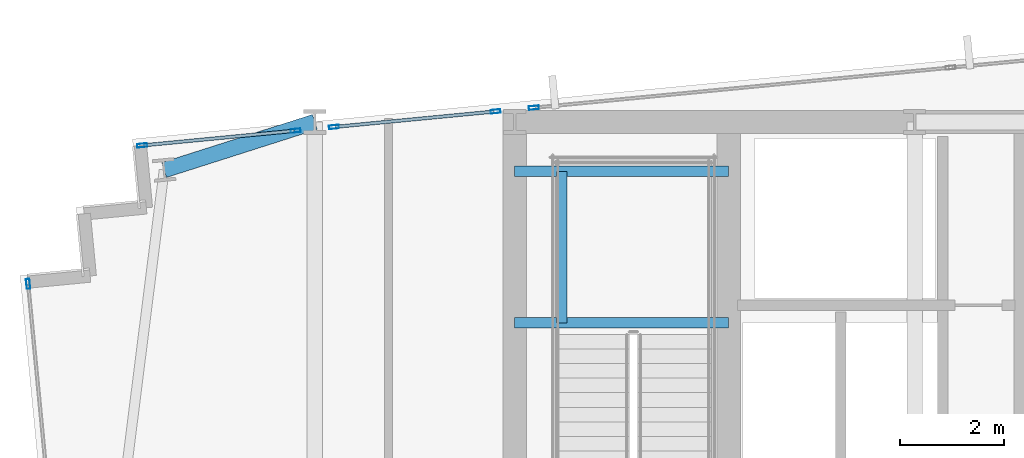
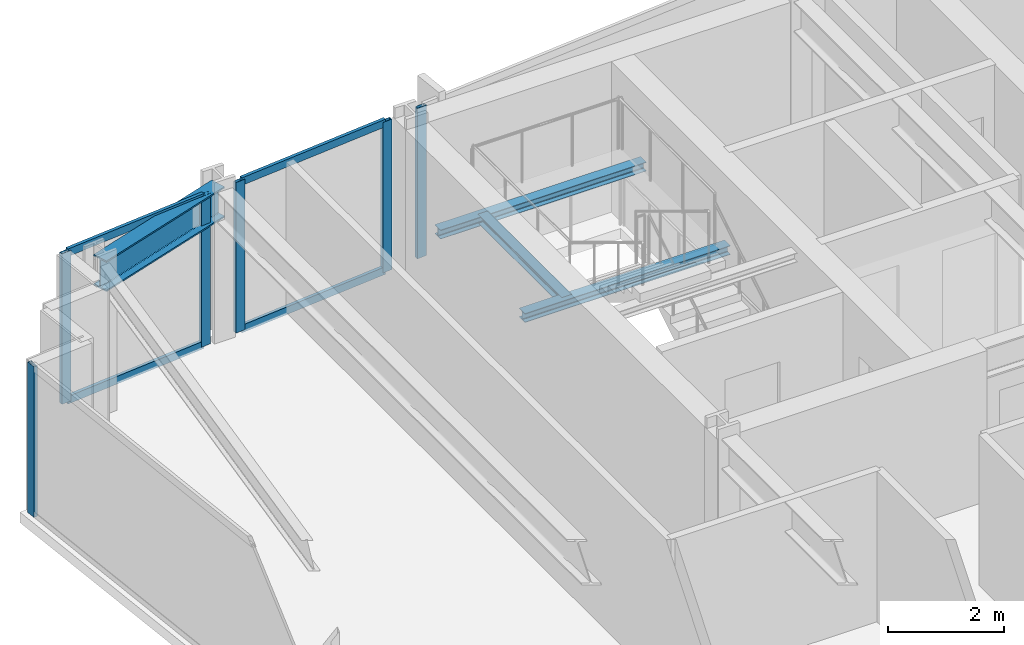
# One storey, part 17 of 33: 10 members, 4 beams, 4 elements without a shape of their own.
"""IFC4 building model written with IfcOpenShell, lengths in metres."""

from ifc_helpers import new_model, si_unit, direction, frame, origin, origin_2d, place, context, subcontext, project, spatial, hollow_rectangle, i_section, extrude, material, material_profile, profile_set, type_object, element, aggregate, save


model = new_model("IFC4")

# Units and contexts
model_context = context("Model", 3, precision=1e-05, world=origin(), true_north=direction((0.0, 1.0)))
body_context = subcontext(model_context, "Body", "Model", "MODEL_VIEW")
ifc_project = project(units=[si_unit("LENGTHUNIT", "METRE"), si_unit("AREAUNIT", "SQUARE_METRE"), si_unit("VOLUMEUNIT", "CUBIC_METRE"), si_unit("PLANEANGLEUNIT", "RADIAN"), si_unit("MASSUNIT", "GRAM", prefix="KILO")], contexts=[model_context])

# Site, building, storey
site_placement = place(None, origin())
site = spatial("IfcSite", under=ifc_project, at=site_placement, CompositionType="ELEMENT")
building_placement = place(site_placement, origin())
building = spatial("IfcBuilding", under=site, at=building_placement, Name="Yelkora Congress Tower", CompositionType="ELEMENT")
storey_placement = place(building_placement, frame((0.0, 0.0, 123.699951171875)))
storey = spatial("IfcBuildingStorey", under=building, at=storey_placement, Name="L33", CompositionType="ELEMENT", Elevation=123.699951171875)

# Beams
ifc_material_1 = material(Name="Steel S355J2", Category="steel")
ifc_material_profile_1 = material_profile(ifc_material_1, i_section(OverallWidth=0.300048828125, OverallDepth=0.64990234375, WebThickness=0.01611328125, FlangeThickness=0.031005859375, FilletRadius=0.027099609375, at=origin_2d()), Name="HEB 650")
ifc_profile_set_1 = profile_set([ifc_material_profile_1], Name="Steel S355J2")
beam_type_1 = type_object("IfcBeamType", Name="BM-GIRD-HEB650", PredefinedType="BEAM", material=ifc_profile_set_1)
beam_1_placement = place(storey_placement, frame((16.306884765625, 45.27734375, 2.85498046875), z_axis=(0.952727067409, 0.303827475759, 0.0), x_axis=(-0.303827475759, 0.952727067409, 0.0)))
element("IfcBeam", 1, at=beam_1_placement, inside=storey, type_object=beam_type_1, Name="L33 Primary Frame Girder N01", PredefinedType="BEAM", context=body_context, shape_type="SweptSolid", body=[
    extrude(i_section(OverallWidth=0.300048828125, OverallDepth=0.64990234375, WebThickness=0.01611328125, FlangeThickness=0.031005859375, FilletRadius=0.027099609375, at=origin_2d()), origin(), (0.0, 0.0, 1.0), 3.03662109375),
])
ifc_material_profile_2 = material_profile(ifc_material_1, i_section(OverallWidth=0.199951171875, OverallDepth=0.18994140625, WebThickness=0.006591796875, FlangeThickness=0.010009765625, FilletRadius=0.01806640625, at=origin_2d()), Name="HEA 200")
ifc_profile_set_2 = profile_set([ifc_material_profile_2], Name="Steel S355J2")
beam_type_2 = type_object("IfcBeamType", Name="BM-LAND-HEA200", PredefinedType="BEAM", material=ifc_profile_set_2)
for number, where, z_axis, x_axis, name in (
    (2, (23.0400390625, 42.340087890625, 1.384765625), (1.0, 0.0, 0.0), (0.0, 1.0, 0.0), "ST-01 L33 Landing Header Beam 1S"),
    (3, (23.0400390625, 45.25, 1.384765625), (1.0, 0.0, 0.0), (0.0, 1.0, 0.0), "ST-01 L33 Landing Header Beam 1N"),
):
    element("IfcBeam", number, at=place(storey_placement, frame(where, z_axis=z_axis, x_axis=x_axis)), inside=storey, type_object=beam_type_2, Name=name, PredefinedType="BEAM", context=body_context, shape_type="SweptSolid", body=[
        extrude(i_section(OverallWidth=0.199951171875, OverallDepth=0.18994140625, WebThickness=0.006591796875, FlangeThickness=0.010009765625, FilletRadius=0.01806640625, at=origin_2d()), origin(), (0.0, 0.0, 1.0), 4.10986328125),
    ])
beam_2_placement = place(storey_placement, frame((23.93994140625, 42.340087890625, 1.384765625), z_axis=(0.0, 1.0, 0.0), x_axis=(-1.0, 0.0, 0.0)))
element("IfcBeam", 4, at=beam_2_placement, inside=storey, type_object=beam_type_2, Name="ST-01 L33 Landing Trimmer Beam 1M", PredefinedType="BEAM", context=body_context, shape_type="SweptSolid", body=[
    extrude(i_section(OverallWidth=0.199951171875, OverallDepth=0.18994140625, WebThickness=0.006591796875, FlangeThickness=0.010009765625, FilletRadius=0.01806640625, at=origin_2d()), origin(), (0.0, 0.0, 1.0), 2.909912109375),
])

# Curtain wall, member
ifc_material_2 = material(Name="Anodised aluminium and insulated glass", Category="aluminium")
curtain_wall_type = type_object("IfcCurtainWallType", Name="CW-SYS-B2", PredefinedType="NOTDEFINED", material=ifc_material_2)
curtain_wall_1_placement = place(storey_placement, origin())
curtain_wall_1 = element("IfcCurtainWall", 5, at=curtain_wall_1_placement, inside=storey, type_object=curtain_wall_type, Name="L33 Unitised Curtain Wall 5", PredefinedType="NOTDEFINED")
ifc_material_3 = material(Name="Anodised aluminium 6063-T6", Category="aluminium")
ifc_material_profile_3 = material_profile(ifc_material_3, hollow_rectangle(XDim=0.070068359375, YDim=0.18994140625, WallThickness=0.00390625, at=origin_2d()), Name="ALU 70x190x4")
ifc_profile_set_3 = profile_set([ifc_material_profile_3], Name="Anodised aluminium 6063-T6")
member_type_1 = type_object("IfcMemberType", Name="MEM-ML-B2", PredefinedType="MULLION", material=ifc_profile_set_3)
member_1_placement = place(storey_placement, frame((13.6943359375, 43.091796875, 0.0), z_axis=(0.0, 0.0, 1.0), x_axis=(-0.995396507508, -0.095842541913, 0.0)))
member_1 = element("IfcMember", 6, at=member_1_placement, type_object=member_type_1, Name="CW-B2 mullion 5", PredefinedType="MULLION", context=body_context, shape_type="SweptSolid", body=[
    extrude(hollow_rectangle(XDim=0.070068359375, YDim=0.18994140625, WallThickness=0.00390625, at=origin_2d()), origin(), (0.0, 0.0, 1.0), 3.179931640625),
])
aggregate(curtain_wall_1, [member_1])

# Curtain wall, members
curtain_wall_2_placement = place(storey_placement, origin())
curtain_wall_2 = element("IfcCurtainWall", 7, at=curtain_wall_2_placement, inside=storey, type_object=curtain_wall_type, Name="L33 Unitised Curtain Wall 10 (1)", PredefinedType="NOTDEFINED")
member_2_placement = place(storey_placement, frame((15.884521484375, 45.7490234375, 0.0), z_axis=(0.0, 0.0, 1.0), x_axis=(-0.095839346142, 0.99539681521, 0.0)))
member_2 = element("IfcMember", 8, at=member_2_placement, type_object=member_type_1, Name="CW-B2 mullion 1", PredefinedType="MULLION", context=body_context, shape_type="SweptSolid", body=[
    extrude(hollow_rectangle(XDim=0.070068359375, YDim=0.18994140625, WallThickness=0.00390625, at=origin_2d()), origin(), (0.0, 0.0, 1.0), 3.179931640625),
])
member_3_placement = place(storey_placement, frame((18.833251953125, 46.032958984375, 0.0), z_axis=(0.0, 0.0, 1.0), x_axis=(-0.095839346142, 0.99539681521, 0.0)))
member_3 = element("IfcMember", 9, at=member_3_placement, type_object=member_type_1, Name="CW-B2 mullion 2", PredefinedType="MULLION", context=body_context, shape_type="SweptSolid", body=[
    extrude(hollow_rectangle(XDim=0.070068359375, YDim=0.18994140625, WallThickness=0.00390625, at=origin_2d()), origin(), (0.0, 0.0, 1.0), 3.179931640625),
])

curtain_wall_3_placement = place(storey_placement, origin())
curtain_wall_3 = element("IfcCurtainWall", 10, at=curtain_wall_3_placement, inside=storey, type_object=curtain_wall_type, Name="L33 Unitised Curtain Wall 10 (2)", PredefinedType="NOTDEFINED")
member_4_placement = place(storey_placement, frame((19.56689453125, 46.103515625, 0.0), z_axis=(0.0, 0.0, 1.0), x_axis=(-0.095841399764, 0.99539661748, 0.0)))
member_4 = element("IfcMember", 11, at=member_4_placement, type_object=member_type_1, Name="CW-B2 mullion 1", PredefinedType="MULLION", context=body_context, shape_type="SweptSolid", body=[
    extrude(hollow_rectangle(XDim=0.070068359375, YDim=0.18994140625, WallThickness=0.00390625, at=origin_2d()), origin(), (0.0, 0.0, 1.0), 3.179931640625),
])
member_5_placement = place(storey_placement, frame((22.673095703125, 46.402587890625, 0.0), z_axis=(0.0, 0.0, 1.0), x_axis=(-0.095841399764, 0.99539661748, 0.0)))
member_5 = element("IfcMember", 12, at=member_5_placement, type_object=member_type_1, Name="CW-B2 mullion 2", PredefinedType="MULLION", context=body_context, shape_type="SweptSolid", body=[
    extrude(hollow_rectangle(XDim=0.070068359375, YDim=0.18994140625, WallThickness=0.00390625, at=origin_2d()), origin(), (0.0, 0.0, 1.0), 3.179931640625),
])

# Curtain wall, member
curtain_wall_4_placement = place(storey_placement, origin())
curtain_wall_4 = element("IfcCurtainWall", 13, at=curtain_wall_4_placement, inside=storey, type_object=curtain_wall_type, Name="L33 Unitised Curtain Wall 10 (3)", PredefinedType="NOTDEFINED")
member_6_placement = place(storey_placement, frame((23.40673828125, 46.473388671875, 0.0), z_axis=(0.0, 0.0, 1.0), x_axis=(-0.095844238468, 0.995396344153, 0.0)))
member_6 = element("IfcMember", 14, at=member_6_placement, type_object=member_type_1, Name="CW-B2 mullion 1", PredefinedType="MULLION", context=body_context, shape_type="SweptSolid", body=[
    extrude(hollow_rectangle(XDim=0.070068359375, YDim=0.18994140625, WallThickness=0.00390625, at=origin_2d()), origin(), (0.0, 0.0, 1.0), 3.179931640625),
])
aggregate(curtain_wall_4, [member_6])

# Member
ifc_material_profile_4 = material_profile(ifc_material_3, hollow_rectangle(XDim=0.06494140625, YDim=0.159912109375, WallThickness=0.00390625, at=origin_2d()), Name="ALU 65x160x4")
ifc_profile_set_4 = profile_set([ifc_material_profile_4], Name="Anodised aluminium 6063-T6")
member_type_2 = type_object("IfcMemberType", Name="MEM-TR-B2", PredefinedType="USERDEFINED", material=ifc_profile_set_4)
member_7_placement = place(storey_placement, frame((15.91943359375, 45.75244140625, 0.032470703125), z_axis=(0.995399744854, 0.095808913705, 0.0), x_axis=(-0.095808913705, 0.995399744854, 0.0)))
member_7 = element("IfcMember", 15, at=member_7_placement, type_object=member_type_2, Name="CW-B2 transom 1.1", ObjectType="TRANSOM", PredefinedType="USERDEFINED", context=body_context, shape_type="SweptSolid", body=[
    extrude(hollow_rectangle(XDim=0.06494140625, YDim=0.159912109375, WallThickness=0.00390625, at=origin_2d()), origin(), (0.0, 0.0, 1.0), 2.89208984375),
])

member_8_placement = place(storey_placement, frame((15.91943359375, 45.75244140625, 3.1474609375), z_axis=(0.995399744854, 0.095808913705, 0.0), x_axis=(-0.095808913705, 0.995399744854, 0.0)))
member_8 = element("IfcMember", 16, at=member_8_placement, type_object=member_type_2, Name="CW-B2 transom 1.2", ObjectType="TRANSOM", PredefinedType="USERDEFINED", context=body_context, shape_type="SweptSolid", body=[
    extrude(hollow_rectangle(XDim=0.06494140625, YDim=0.159912109375, WallThickness=0.00390625, at=origin_2d()), origin(), (0.0, 0.0, 1.0), 2.89208984375),
])

aggregate(curtain_wall_2, [member_2, member_3, member_7, member_8])

member_9_placement = place(storey_placement, frame((19.6015625, 46.10693359375, 0.032470703125), z_axis=(0.995401842144, 0.095787121557, 0.0), x_axis=(-0.095787121557, 0.995401842144, 0.0)))
member_9 = element("IfcMember", 17, at=member_9_placement, type_object=member_type_2, Name="CW-B2 transom 1.1", ObjectType="TRANSOM", PredefinedType="USERDEFINED", context=body_context, shape_type="SweptSolid", body=[
    extrude(hollow_rectangle(XDim=0.06494140625, YDim=0.159912109375, WallThickness=0.00390625, at=origin_2d()), origin(), (0.0, 0.0, 1.0), 3.05078125),
])

member_10_placement = place(storey_placement, frame((19.6015625, 46.10693359375, 3.1474609375), z_axis=(0.995401842144, 0.095787121557, 0.0), x_axis=(-0.095787121557, 0.995401842144, 0.0)))
member_10 = element("IfcMember", 18, at=member_10_placement, type_object=member_type_2, Name="CW-B2 transom 1.2", ObjectType="TRANSOM", PredefinedType="USERDEFINED", context=body_context, shape_type="SweptSolid", body=[
    extrude(hollow_rectangle(XDim=0.06494140625, YDim=0.159912109375, WallThickness=0.00390625, at=origin_2d()), origin(), (0.0, 0.0, 1.0), 3.05078125),
])

aggregate(curtain_wall_3, [member_4, member_5, member_9, member_10])

save(model, "model.ifc")
